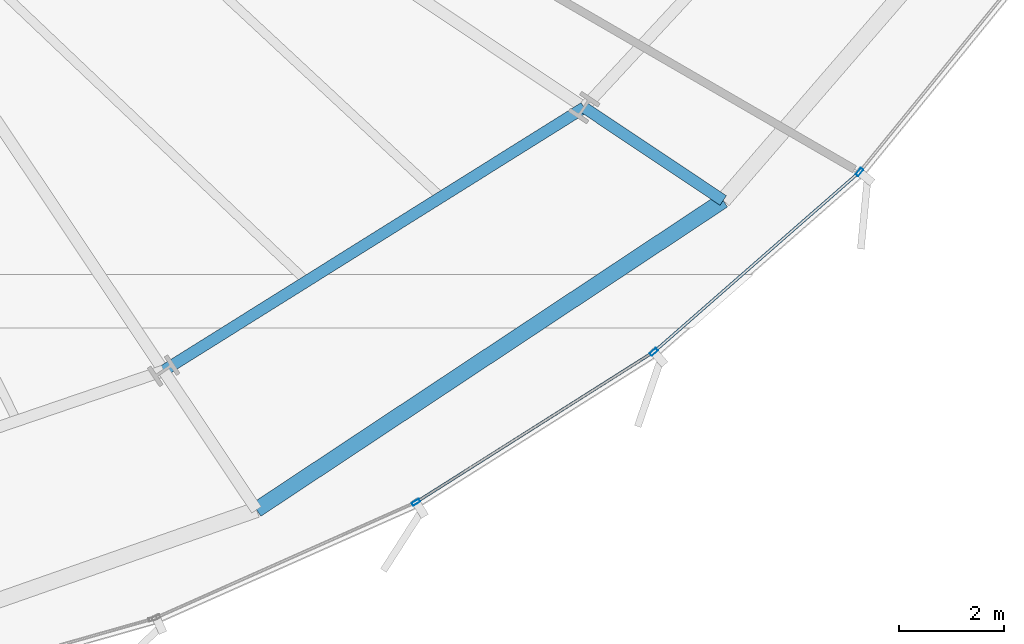
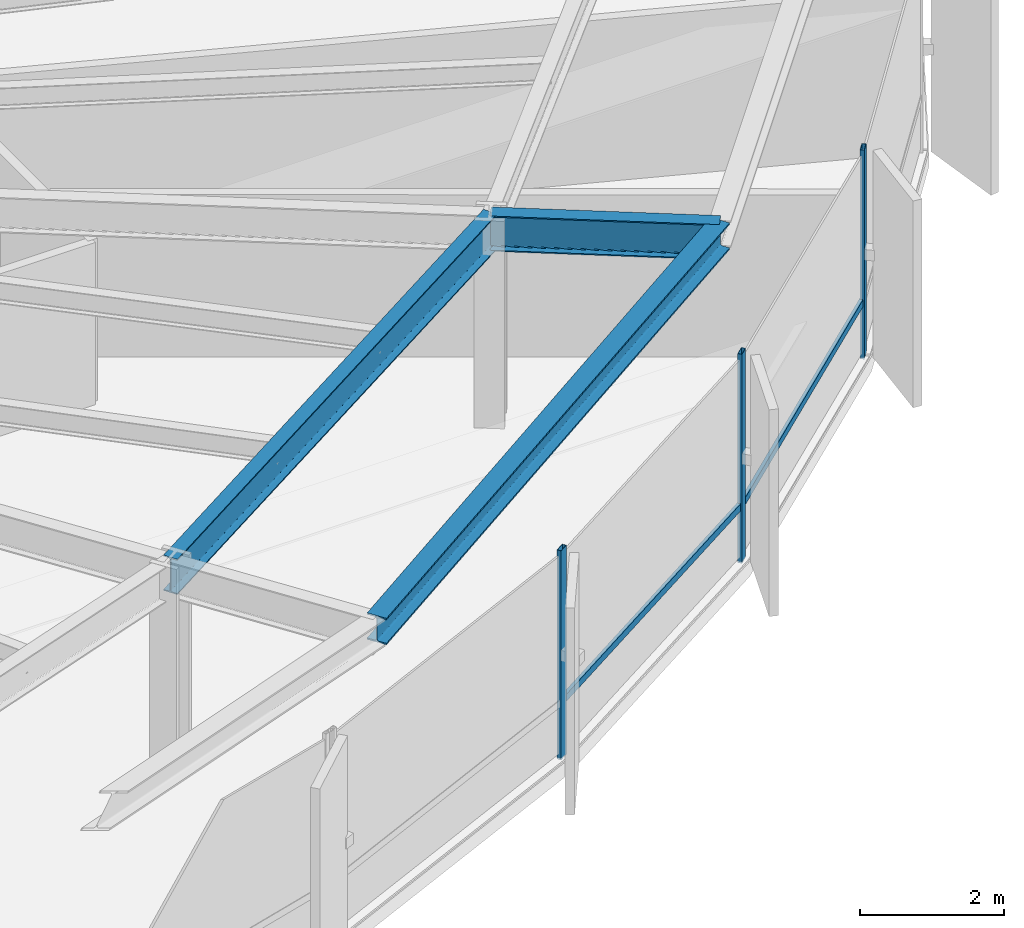
# One storey, part 13 of 39: 5 members, 3 beams, 1 element without a shape of its own.
"""IFC4 building model written with IfcOpenShell, lengths in metres."""

from ifc_helpers import new_model, si_unit, direction, frame, origin, origin_2d, place, context, subcontext, project, spatial, hollow_rectangle, i_section, extrude, source, transform, mapped, material, layer, layer_set, material_profile, profile_set, type_object, element, aggregate, save


model = new_model("IFC4")

# Units and contexts
model_context = context("Model", 3, precision=1e-05, world=origin(), true_north=direction((0.0, 1.0)))
body_context = subcontext(model_context, "Body", "Model", "MODEL_VIEW")
ifc_project = project(units=[si_unit("LENGTHUNIT", "METRE"), si_unit("AREAUNIT", "SQUARE_METRE"), si_unit("VOLUMEUNIT", "CUBIC_METRE"), si_unit("PLANEANGLEUNIT", "RADIAN"), si_unit("MASSUNIT", "GRAM", prefix="KILO"), si_unit("THERMODYNAMICTEMPERATUREUNIT", "KELVIN")], contexts=[model_context])

# Site, building, storey
site_placement = place(None, origin())
site = spatial("IfcSite", under=ifc_project, at=site_placement, CompositionType="ELEMENT")
building_placement = place(site_placement, origin())
building = spatial("IfcBuilding", under=site, at=building_placement, Name="Kethvar Cultural Tower", CompositionType="ELEMENT")
storey_placement = place(building_placement, frame((0.0, 0.0, 44.800048828125)))
storey = spatial("IfcBuildingStorey", under=building, at=storey_placement, Name="L10", CompositionType="ELEMENT", Elevation=44.800048828125)

# Beams
ifc_material_1 = material(Name="Steel S355J2", Category="steel")
ifc_material_profile_1 = material_profile(ifc_material_1, i_section(OverallWidth=0.219970703125, OverallDepth=0.60009765625, WebThickness=0.011962890625, FlangeThickness=0.01904296875, FilletRadius=0.02392578125, at=origin_2d()), Name="Steel S355J2 — IPE600")
ifc_profile_set_1 = profile_set([ifc_material_profile_1], Name="Steel S355J2 — IPE600")
beam_type_1 = type_object("IfcBeamType", Name="BM-IPE600", PredefinedType="BEAM", material=ifc_profile_set_1)
shared_shape_1 = source(origin(), body_context, "Body", "SweptSolid", [
    extrude(i_section(OverallWidth=0.219970703125, OverallDepth=0.60009765625, WebThickness=0.011962890625, FlangeThickness=0.01904296875, FilletRadius=0.02392578125, at=origin_2d()), origin(), (0.0, 0.0, 1.0), 3.19970703125),
])
beam_1_placement = place(storey_placement, frame((67.41845703125, 14.023193359375, 3.248046875), z_axis=(0.831498187863, -0.55552746429, 0.0), x_axis=(0.55552746429, 0.831498187863, 0.0)))
element("IfcBeam", 1, at=beam_1_placement, inside=storey, type_object=beam_type_1, Name="L10 Perimeter Cantilever Beam RC-15", PredefinedType="BEAM", context=body_context, shape_type="MappedRepresentation", body=[
    mapped(shared_shape_1, transform((0.0, 0.0, 0.0), scale=1.0)),
])
shared_shape_2 = source(origin(), body_context, "Body", "SweptSolid", [
    extrude(i_section(OverallWidth=0.219970703125, OverallDepth=0.60009765625, WebThickness=0.011962890625, FlangeThickness=0.01904296875, FilletRadius=0.02392578125, at=origin_2d()), origin(), (0.0, 0.0, 1.0), 9.493896484375),
])
beam_2_placement = place(storey_placement, frame((59.370361328125, 8.987060546875, 3.248046875), z_axis=(0.847710685997, 0.530458851228, 0.0), x_axis=(-0.530458851228, 0.847710685997, 0.0)))
element("IfcBeam", 2, at=beam_2_placement, inside=storey, type_object=beam_type_1, Name="L10 Column Ring Tie Beam CR-14", PredefinedType="BEAM", context=body_context, shape_type="MappedRepresentation", body=[
    mapped(shared_shape_2, transform((0.0, 0.0, 0.0), scale=1.0)),
])
ifc_material_profile_2 = material_profile(ifc_material_1, i_section(OverallWidth=0.300048828125, OverallDepth=0.449951171875, WebThickness=0.013916015625, FlangeThickness=0.02587890625, FilletRadius=0.027099609375, at=origin_2d()), Name="Steel S355J2 — HEB450")
ifc_profile_set_2 = profile_set([ifc_material_profile_2], Name="Steel S355J2 — HEB450")
beam_type_2 = type_object("IfcBeamType", Name="BM-SP450", PredefinedType="SPANDREL", material=ifc_profile_set_2)
shared_shape_3 = source(origin(), body_context, "Body", "SweptSolid", [
    extrude(i_section(OverallWidth=0.300048828125, OverallDepth=0.449951171875, WebThickness=0.013916015625, FlangeThickness=0.02587890625, FilletRadius=0.027099609375, at=origin_2d()), origin(), (0.0, 0.0, 1.0), 10.71435546875),
])
beam_3_placement = place(storey_placement, frame((61.148193359375, 6.326416015625, 3.322998046875), z_axis=(0.833544146731, 0.552452853599, 0.0), x_axis=(-0.552452853599, 0.833544146731, 0.0)))
element("IfcBeam", 3, at=beam_3_placement, inside=storey, type_object=beam_type_2, Name="L10 Perimeter Spandrel Beam SP-14", PredefinedType="SPANDREL", context=body_context, shape_type="MappedRepresentation", body=[
    mapped(shared_shape_3, transform((0.0, 0.0, 0.0), scale=1.0)),
])

# Curtain wall, members
ifc_material_2 = material(Name="Aluminium 6063-T6", Category="aluminium")
ifc_layer = layer(ifc_material_2, 0.179931640625, Name="Aluminium 6063-T6", Category="aluminium")
ifc_layer_set = layer_set([ifc_layer], Name="Aluminium 6063-T6 (180 mm)")
curtain_wall_type = type_object("IfcCurtainWallType", Name="CW-SYS-02-Z1", PredefinedType="NOTDEFINED", material=ifc_layer_set)
curtain_wall_placement = place(storey_placement, origin())
curtain_wall = element("IfcCurtainWall", 4, at=curtain_wall_placement, inside=storey, type_object=curtain_wall_type, Name="L10 Curtain Wall Run 06", PredefinedType="NOTDEFINED")
ifc_material_profile_3 = material_profile(ifc_material_2, hollow_rectangle(XDim=0.06494140625, YDim=0.159912109375, WallThickness=0.0048828125, at=origin_2d()), Name="Aluminium 6063-T6 — RHS160x65x5")
ifc_profile_set_3 = profile_set([ifc_material_profile_3], Name="Aluminium 6063-T6 — RHS160x65x5")
member_type_1 = type_object("IfcMemberType", Name="CW-SYS-02-Z1-MUL", PredefinedType="MULLION", material=ifc_profile_set_3)
shared_shape_4 = source(origin(), body_context, "Body", "SweptSolid", [
    extrude(hollow_rectangle(XDim=0.06494140625, YDim=0.159912109375, WallThickness=0.0048828125, at=origin_2d()), origin(), (0.0, 0.0, 1.0), 3.550048828125),
])
member_1_placement = place(storey_placement, frame((64.2001953125, 6.469482421875, 0.0), z_axis=(0.0, 0.0, 1.0), x_axis=(-0.534573620106, 0.845121911139, 0.0)))
member_1 = element("IfcMember", 5, at=member_1_placement, type_object=member_type_1, Name="CW-L10-R06 Mullion 2", PredefinedType="MULLION", context=body_context, shape_type="MappedRepresentation", body=[
    mapped(shared_shape_4, transform((0.0, 0.0, 0.0), scale=1.0)),
])
member_2_placement = place(storey_placement, frame((68.751708984375, 9.3466796875, 0.0), z_axis=(0.0, 0.0, 1.0), x_axis=(-0.658387368353, 0.752679263162, 0.0)))
member_2 = element("IfcMember", 6, at=member_2_placement, type_object=member_type_1, Name="CW-L10-R06 Mullion 3", PredefinedType="MULLION", context=body_context, shape_type="MappedRepresentation", body=[
    mapped(shared_shape_4, transform((0.0, 0.0, 0.0), scale=1.0)),
])
member_3_placement = place(storey_placement, frame((72.687744140625, 12.787353515625, 0.0), z_axis=(0.0, 0.0, 1.0), x_axis=(-0.775705065044, 0.631095596613, 0.0)))
member_3 = element("IfcMember", 7, at=member_3_placement, type_object=member_type_1, Name="CW-L10-R06 Mullion 4", PredefinedType="MULLION", context=body_context, shape_type="MappedRepresentation", body=[
    mapped(shared_shape_4, transform((0.0, 0.0, 0.0), scale=1.0)),
])
ifc_material_profile_4 = material_profile(ifc_material_2, hollow_rectangle(XDim=0.054931640625, YDim=0.1201171875, WallThickness=0.00390625, at=origin_2d()), Name="Aluminium 6063-T6 — RHS120x55x4")
ifc_profile_set_4 = profile_set([ifc_material_profile_4], Name="Aluminium 6063-T6 — RHS120x55x4")
member_type_2 = type_object("IfcMemberType", Name="CW-SYS-02-Z1-TRN", PredefinedType="USERDEFINED", material=ifc_profile_set_4)
shared_shape_5 = source(origin(), body_context, "Body", "SweptSolid", [
    extrude(hollow_rectangle(XDim=0.054931640625, YDim=0.1201171875, WallThickness=0.00390625, at=origin_2d()), origin(), (0.0, 0.0, 1.0), 5.309814453125),
])
member_4_placement = place(storey_placement, frame((64.23974609375, 6.494384765625, 0.949951171875), z_axis=(0.845103001089, 0.534603514345, 0.0), x_axis=(-0.534603514345, 0.845103001089, 0.0)))
member_4 = element("IfcMember", 8, at=member_4_placement, type_object=member_type_2, Name="CW-L10-R06 Transom 2", ObjectType="TRANSOM", PredefinedType="USERDEFINED", context=body_context, shape_type="MappedRepresentation", body=[
    mapped(shared_shape_5, transform((0.0, 0.0, 0.0), scale=1.0)),
])
shared_shape_6 = source(origin(), body_context, "Body", "SweptSolid", [
    extrude(hollow_rectangle(XDim=0.054931640625, YDim=0.1201171875, WallThickness=0.00390625, at=origin_2d()), origin(), (0.0, 0.0, 1.0), 5.154296875),
])
member_5_placement = place(storey_placement, frame((68.787109375, 9.377685546875, 0.949951171875), z_axis=(0.752664715512, 0.658403999095, 0.0), x_axis=(-0.658403999095, 0.752664715512, 0.0)))
member_5 = element("IfcMember", 9, at=member_5_placement, type_object=member_type_2, Name="CW-L10-R06 Transom 3", ObjectType="TRANSOM", PredefinedType="USERDEFINED", context=body_context, shape_type="MappedRepresentation", body=[
    mapped(shared_shape_6, transform((0.0, 0.0, 0.0), scale=1.0)),
])
aggregate(curtain_wall, [member_1, member_2, member_3, member_4, member_5])

save(model, "model.ifc")
